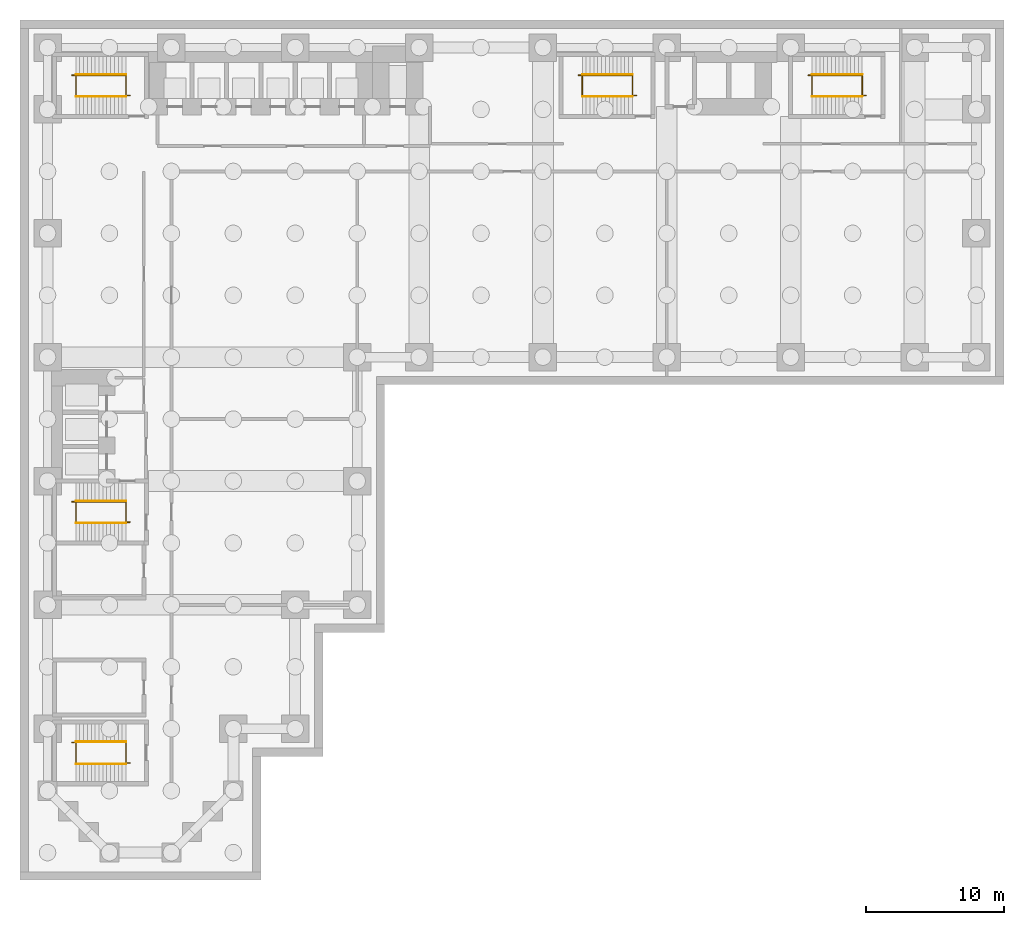
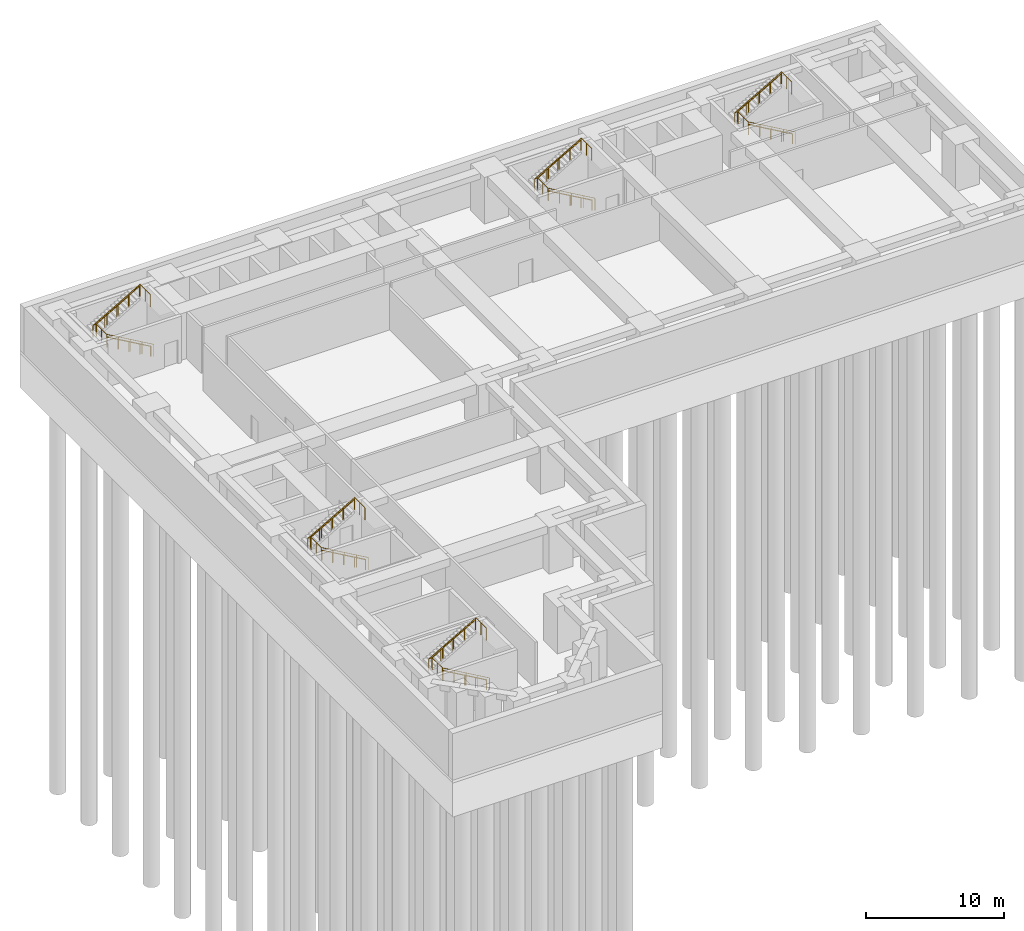
# One storey, part 6 of 7: 15 railings.
"""IFC4 building model written with IfcOpenShell, lengths in metres."""

import ifcopenshell
import ifcopenshell.guid

model = None  # the IFC model being written
_history = None  # IfcOwnerHistory: only IFC2X3 demands one
_inside = {}  # id of a spatial element -> (the spatial element, [elements in it])
_under = {}  # id of a project, library or spatial element -> (it, [spatial elements below it])
_declared = {}  # id of a project -> (the project, [libraries it declares])
_typed = {}  # id of a type object -> (the type object, [elements of that type])
_made_of = {}  # id of a material, layer set ... -> (it, [elements and type objects made of it])


def new_model(schema):
    """Start an empty IFC model of exactly this schema.

    Asked for "IFC4X3", IfcOpenShell would pick the latest addendum, in which some entities
    have other attributes; the version numbers below select the first issue.
    IFC2X3 requires an IfcOwnerHistory on every rooted entity: one is made here for all.
    """
    global model, _history
    if schema == "IFC4X3":
        model = ifcopenshell.file(schema_version=(4, 3, 0, 0))
    else:
        model = ifcopenshell.file(schema=schema)
    _inside.clear()
    _under.clear()
    _declared.clear()
    _typed.clear()
    _made_of.clear()
    _history = None
    if model.schema == "IFC2X3":
        org = make("IfcOrganization", Name="unknown")
        user = make(
            "IfcPersonAndOrganization",
            ThePerson=make("IfcPerson", FamilyName="unknown"),
            TheOrganization=org,
        )
        app = make(
            "IfcApplication",
            ApplicationDeveloper=org,
            Version="unknown",
            ApplicationFullName="unknown",
            ApplicationIdentifier="unknown",
        )
        _history = make(
            "IfcOwnerHistory",
            OwningUser=user,
            OwningApplication=app,
            ChangeAction="ADDED",
            CreationDate=0,
        )
    return model


def make(cls, **values):
    """One entity of the class cls with the attributes given. An attribute that is None is left unset."""
    return model.create_entity(
        cls, **{name: value for name, value in values.items() if value is not None}
    )


def rooted(cls, **values):
    """An entity with a GlobalId (a new one), such as an element, a storey or a relation."""
    return make(cls, GlobalId=ifcopenshell.guid.new(), OwnerHistory=_history, **values)


def si_unit(unit_type, name, prefix=None):
    """IfcSIUnit, for example si_unit("LENGTHUNIT", "METRE", prefix="MILLI")."""
    return make("IfcSIUnit", UnitType=unit_type, Prefix=prefix, Name=name)


def assignment(units):
    """IfcUnitAssignment: the units of a project."""
    return None if units is None else make("IfcUnitAssignment", Units=units)


def point(xyz):
    """IfcCartesianPoint."""
    return None if xyz is None else make("IfcCartesianPoint", Coordinates=xyz)


def direction(xyz):
    """IfcDirection."""
    return None if xyz is None else make("IfcDirection", DirectionRatios=xyz)


def frame(location, z_axis=None, x_axis=None):
    """IfcAxis2Placement3D, a coordinate frame: its origin and axes. An axis left out is left unset."""
    return make(
        "IfcAxis2Placement3D",
        Location=point(location),
        Axis=direction(z_axis),
        RefDirection=direction(x_axis),
    )


def frame_2d(location, x_axis=None):
    """IfcAxis2Placement2D, a coordinate frame in the plane: its origin and x axis."""
    return make(
        "IfcAxis2Placement2D", Location=point(location), RefDirection=direction(x_axis)
    )


def origin():
    """The frame at (0, 0, 0) with its axes left unset."""
    return frame((0.0, 0.0, 0.0))


def origin_2d():
    """The frame at (0, 0) in the plane with its x axis left unset."""
    return frame_2d((0.0, 0.0))


def place(relative_to, where):
    """IfcLocalPlacement: puts the frame where relative to a parent placement (None: the world)."""
    return make(
        "IfcLocalPlacement", PlacementRelTo=relative_to, RelativePlacement=where
    )


def context(
    kind, dimensions, precision=None, world=None, true_north=None, identifier=None
):
    """IfcGeometricRepresentationContext, for example the 3D "Model" context."""
    return make(
        "IfcGeometricRepresentationContext",
        ContextIdentifier=identifier,
        ContextType=kind,
        CoordinateSpaceDimension=dimensions,
        Precision=precision,
        WorldCoordinateSystem=world,
        TrueNorth=true_north,
    )


def subcontext(parent, identifier, kind, view, scale=None):
    """IfcGeometricRepresentationSubContext, for example "Body" below "Model"."""
    return make(
        "IfcGeometricRepresentationSubContext",
        ContextIdentifier=identifier,
        ContextType=kind,
        ParentContext=parent,
        TargetScale=scale,
        TargetView=view,
    )


def project(units=None, contexts=None):
    """IfcProject with its units and contexts."""
    return rooted(
        "IfcProject",
        Name="project",
        RepresentationContexts=contexts,
        UnitsInContext=assignment(units),
    )


def spatial(cls, under=None, at=None, **own):
    """A site, building, storey or space (cls), placed at a placement, below another one or the project."""
    s = rooted(cls, ObjectPlacement=at, **own)
    if under is not None:
        _under.setdefault(under.id(), (under, []))[1].append(s)
    return s


def profile(cls, at=None, kind="AREA", **sizes):
    """A parametric profile (cls). Its sizes go by their IFC names, for example OverallWidth=200.0."""
    return make(cls, ProfileType=kind, Position=at, **sizes)


def circle(**sizes):
    """IfcCircleProfileDef."""
    return profile("IfcCircleProfileDef", **sizes)


def extrude(swept, where, along, depth):
    """IfcExtrudedAreaSolid: the profile swept, set in the frame where, extruded along a direction by depth."""
    return make(
        "IfcExtrudedAreaSolid",
        SweptArea=swept,
        Position=where,
        ExtrudedDirection=direction(along),
        Depth=depth,
    )


def shape(context_of_items, identifier, shape_type, items):
    """IfcShapeRepresentation: the items that make up one representation, for example the "Body"."""
    return make(
        "IfcShapeRepresentation",
        ContextOfItems=context_of_items,
        RepresentationIdentifier=identifier,
        RepresentationType=shape_type,
        Items=items,
    )


def material(Name=None, Category=None):
    """IfcMaterial."""
    return make("IfcMaterial", Name=Name, Category=Category)


def made_of(thing, what):
    """Note that an element or type object is made of a material, layer set ...; save() writes the relation."""
    if what is not None:
        _made_of.setdefault(what.id(), (what, []))[1].append(thing)
    return thing


def type_object(cls, material=None, **own):
    """A type object (cls), such as IfcWallType, which elements share."""
    return made_of(rooted(cls, **own), material)


def element(
    cls,
    number,
    at=None,
    inside=None,
    cuts=None,
    type_object=None,
    material=None,
    context=None,
    identifier="Body",
    shape_type=None,
    held_by="IfcProductDefinitionShape",
    body=None,
    shapes=None,
    **own,
):
    """One element of the class cls, such as IfcWall. Its Tag is "e" and its number.

    at: its placement. inside: the storey or other place that contains it. cuts: it is an
    opening in that element (IfcRelVoidsElement). A single representation is given by context,
    identifier, shape_type and body (its items); several are given by shapes. held_by: the class
    of the entity that holds the representations. save() writes the other relations.
    """
    e = rooted(cls, Tag="e%d" % number, ObjectPlacement=at, **own)
    if body is not None:
        shapes = [shape(context, identifier, shape_type, body)]
    if shapes is not None:
        e.Representation = make(held_by, Representations=shapes)
    if inside is not None:
        _inside.setdefault(inside.id(), (inside, []))[1].append(e)
    if cuts is not None:
        rooted(
            "IfcRelVoidsElement", RelatingBuildingElement=cuts, RelatedOpeningElement=e
        )
    if type_object is not None:
        _typed.setdefault(type_object.id(), (type_object, []))[1].append(e)
    return made_of(e, material)


def aggregate(whole, parts):
    """IfcRelAggregates: a whole, such as a stair, and the parts it consists of."""
    return rooted("IfcRelAggregates", RelatingObject=whole, RelatedObjects=parts)


def save(model, path):
    """Write the relations noted so far, then the file.

    IfcRelAggregates (storeys below a building ...), IfcRelContainedInSpatialStructure (elements
    in a storey), IfcRelDefinesByType, IfcRelAssociatesMaterial and IfcRelDeclares: one each for
    every whole, place, type object, material and project.
    """
    for whole, parts in _under.values():
        aggregate(whole, parts)
    for where, things in _inside.values():
        rooted(
            "IfcRelContainedInSpatialStructure",
            RelatedElements=things,
            RelatingStructure=where,
        )
    for kind, things in _typed.values():
        rooted("IfcRelDefinesByType", RelatedObjects=things, RelatingType=kind)
    for what, things in _made_of.values():
        rooted("IfcRelAssociatesMaterial", RelatedObjects=things, RelatingMaterial=what)
    for by, libraries in _declared.values():
        rooted("IfcRelDeclares", RelatingContext=by, RelatedDefinitions=libraries)
    model.write(path)


model = new_model("IFC4")

# Units and contexts
model_context = context("Model", 3, precision=1e-05, world=origin(), true_north=direction((0.0, 1.0)))
body_context = subcontext(model_context, "Body", "Model", "MODEL_VIEW")
ifc_project = project(units=[si_unit("LENGTHUNIT", "METRE"), si_unit("AREAUNIT", "SQUARE_METRE"), si_unit("VOLUMEUNIT", "CUBIC_METRE"), si_unit("PLANEANGLEUNIT", "RADIAN"), si_unit("MASSUNIT", "GRAM", prefix="KILO")], contexts=[model_context])

# Site, building, storey
site_placement = place(None, origin())
site = spatial("IfcSite", under=ifc_project, at=site_placement, CompositionType="ELEMENT")
building_placement = place(site_placement, origin())
building = spatial("IfcBuilding", under=site, at=building_placement, Name="Firuza Court", CompositionType="ELEMENT")
storey_placement = place(building_placement, frame((0.0, 0.0, -9.0)))
storey = spatial("IfcBuildingStorey", under=building, at=storey_placement, Name="B2", CompositionType="ELEMENT", Elevation=-9.0)

# Railings
ifc_material_1 = material(Name="Steel S355", Category="steel")
railing_type_1 = type_object("IfcRailingType", Name="Handrail 900", PredefinedType="HANDRAIL", material=ifc_material_1)
railing_1_placement = place(storey_placement, frame((42.5, 54.949951171875, 0.16064453125)))
element("IfcRailing", 1, at=railing_1_placement, inside=storey, type_object=railing_type_1, Name="Handrail S1 flight 1", PredefinedType="HANDRAIL", context=body_context, shape_type="SweptSolid", body=[
    extrude(circle(Radius=0.02490234375, at=origin_2d()), frame((0.0, 0.0, 0.875), z_axis=(-0.8672749571, 0.0, 0.497829437445), x_axis=(0.0, -1.0, 0.0)), (0.0, 0.0, 1.0), 4.197021484375),
    extrude(circle(Radius=0.02001953125, at=origin_2d()), origin(), (0.0, 0.0, 1.0), 0.849853515625),
    extrude(circle(Radius=0.02001953125, at=origin_2d()), frame((-0.909912109375, 0.0, 0.5224609375)), (0.0, 0.0, 1.0), 0.849853515625),
    extrude(circle(Radius=0.02001953125, at=origin_2d()), frame((-1.81982421875, 0.0, 1.044677734375)), (0.0, 0.0, 1.0), 0.849853515625),
    extrude(circle(Radius=0.02001953125, at=origin_2d()), frame((-2.72998046875, 0.0, 1.56689453125)), (0.0, 0.0, 1.0), 0.849853515625),
    extrude(circle(Radius=0.02001953125, at=origin_2d()), frame((-3.639892578125, 0.0, 2.08935546875)), (0.0, 0.0, 1.0), 0.849853515625),
])
railing_2_placement = place(storey_placement, frame((38.860107421875, 56.550048828125, 2.41064453125)))
element("IfcRailing", 2, at=railing_2_placement, inside=storey, type_object=railing_type_1, Name="Handrail S1 flight 2", PredefinedType="HANDRAIL", context=body_context, shape_type="SweptSolid", body=[
    extrude(circle(Radius=0.02490234375, at=origin_2d()), frame((0.0, 0.0, 0.875), z_axis=(0.8672749571, 0.0, 0.497829437445), x_axis=(0.0, 1.0, 0.0)), (0.0, 0.0, 1.0), 4.197021484375),
    extrude(circle(Radius=0.02001953125, at=origin_2d()), origin(), (0.0, 0.0, 1.0), 0.849853515625),
    extrude(circle(Radius=0.02001953125, at=origin_2d()), frame((0.909912109375, 0.0, 0.5224609375)), (0.0, 0.0, 1.0), 0.849853515625),
    extrude(circle(Radius=0.02001953125, at=origin_2d()), frame((1.81982421875, 0.0, 1.044677734375)), (0.0, 0.0, 1.0), 0.849853515625),
    extrude(circle(Radius=0.02001953125, at=origin_2d()), frame((2.72998046875, 0.0, 1.56689453125)), (0.0, 0.0, 1.0), 0.849853515625),
    extrude(circle(Radius=0.02001953125, at=origin_2d()), frame((3.639892578125, 0.0, 2.08935546875)), (0.0, 0.0, 1.0), 0.849853515625),
])
railing_3_placement = place(storey_placement, frame((5.699951171875, 23.949951171875, 0.16064453125)))
element("IfcRailing", 3, at=railing_3_placement, inside=storey, type_object=railing_type_1, Name="Handrail S2 flight 1", PredefinedType="HANDRAIL", context=body_context, shape_type="SweptSolid", body=[
    extrude(circle(Radius=0.02490234375, at=origin_2d()), frame((0.0, 0.0, 0.875), z_axis=(-0.8672749571, 0.0, 0.497829437445), x_axis=(0.0, -1.0, 0.0)), (0.0, 0.0, 1.0), 4.197021484375),
    extrude(circle(Radius=0.02001953125, at=origin_2d()), origin(), (0.0, 0.0, 1.0), 0.849853515625),
    extrude(circle(Radius=0.02001953125, at=origin_2d()), frame((-0.909912109375, 0.0, 0.5224609375)), (0.0, 0.0, 1.0), 0.849853515625),
    extrude(circle(Radius=0.02001953125, at=origin_2d()), frame((-1.81982421875, 0.0, 1.044677734375)), (0.0, 0.0, 1.0), 0.849853515625),
    extrude(circle(Radius=0.02001953125, at=origin_2d()), frame((-2.72998046875, 0.0, 1.56689453125)), (0.0, 0.0, 1.0), 0.849853515625),
    extrude(circle(Radius=0.02001953125, at=origin_2d()), frame((-3.639892578125, 0.0, 2.08935546875)), (0.0, 0.0, 1.0), 0.849853515625),
])
railing_4_placement = place(storey_placement, frame((2.06005859375, 25.550048828125, 2.41064453125)))
element("IfcRailing", 4, at=railing_4_placement, inside=storey, type_object=railing_type_1, Name="Handrail S2 flight 2", PredefinedType="HANDRAIL", context=body_context, shape_type="SweptSolid", body=[
    extrude(circle(Radius=0.02490234375, at=origin_2d()), frame((0.0, 0.0, 0.875), z_axis=(0.8672749571, 0.0, 0.497829437445), x_axis=(0.0, 1.0, 0.0)), (0.0, 0.0, 1.0), 4.197021484375),
    extrude(circle(Radius=0.02001953125, at=origin_2d()), origin(), (0.0, 0.0, 1.0), 0.849853515625),
    extrude(circle(Radius=0.02001953125, at=origin_2d()), frame((0.909912109375, 0.0, 0.5224609375)), (0.0, 0.0, 1.0), 0.849853515625),
    extrude(circle(Radius=0.02001953125, at=origin_2d()), frame((1.81982421875, 0.0, 1.044677734375)), (0.0, 0.0, 1.0), 0.849853515625),
    extrude(circle(Radius=0.02001953125, at=origin_2d()), frame((2.72998046875, 0.0, 1.56689453125)), (0.0, 0.0, 1.0), 0.849853515625),
    extrude(circle(Radius=0.02001953125, at=origin_2d()), frame((3.639892578125, 0.0, 2.08935546875)), (0.0, 0.0, 1.0), 0.849853515625),
])
railing_5_placement = place(storey_placement, frame((5.699951171875, 54.949951171875, 0.16064453125)))
element("IfcRailing", 5, at=railing_5_placement, inside=storey, type_object=railing_type_1, Name="Handrail S3 flight 1", PredefinedType="HANDRAIL", context=body_context, shape_type="SweptSolid", body=[
    extrude(circle(Radius=0.02490234375, at=origin_2d()), frame((0.0, 0.0, 0.875), z_axis=(-0.8672749571, 0.0, 0.497829437445), x_axis=(0.0, -1.0, 0.0)), (0.0, 0.0, 1.0), 4.197021484375),
    extrude(circle(Radius=0.02001953125, at=origin_2d()), origin(), (0.0, 0.0, 1.0), 0.849853515625),
    extrude(circle(Radius=0.02001953125, at=origin_2d()), frame((-0.909912109375, 0.0, 0.5224609375)), (0.0, 0.0, 1.0), 0.849853515625),
    extrude(circle(Radius=0.02001953125, at=origin_2d()), frame((-1.81982421875, 0.0, 1.044677734375)), (0.0, 0.0, 1.0), 0.849853515625),
    extrude(circle(Radius=0.02001953125, at=origin_2d()), frame((-2.72998046875, 0.0, 1.56689453125)), (0.0, 0.0, 1.0), 0.849853515625),
    extrude(circle(Radius=0.02001953125, at=origin_2d()), frame((-3.639892578125, 0.0, 2.08935546875)), (0.0, 0.0, 1.0), 0.849853515625),
])
railing_6_placement = place(storey_placement, frame((2.06005859375, 56.550048828125, 2.41064453125)))
element("IfcRailing", 6, at=railing_6_placement, inside=storey, type_object=railing_type_1, Name="Handrail S3 flight 2", PredefinedType="HANDRAIL", context=body_context, shape_type="SweptSolid", body=[
    extrude(circle(Radius=0.02490234375, at=origin_2d()), frame((0.0, 0.0, 0.875), z_axis=(0.8672749571, 0.0, 0.497829437445), x_axis=(0.0, 1.0, 0.0)), (0.0, 0.0, 1.0), 4.197021484375),
    extrude(circle(Radius=0.02001953125, at=origin_2d()), origin(), (0.0, 0.0, 1.0), 0.849853515625),
    extrude(circle(Radius=0.02001953125, at=origin_2d()), frame((0.909912109375, 0.0, 0.5224609375)), (0.0, 0.0, 1.0), 0.849853515625),
    extrude(circle(Radius=0.02001953125, at=origin_2d()), frame((1.81982421875, 0.0, 1.044677734375)), (0.0, 0.0, 1.0), 0.849853515625),
    extrude(circle(Radius=0.02001953125, at=origin_2d()), frame((2.72998046875, 0.0, 1.56689453125)), (0.0, 0.0, 1.0), 0.849853515625),
    extrude(circle(Radius=0.02001953125, at=origin_2d()), frame((3.639892578125, 0.0, 2.08935546875)), (0.0, 0.0, 1.0), 0.849853515625),
])
railing_7_placement = place(storey_placement, frame((59.199951171875, 54.949951171875, 0.16064453125)))
element("IfcRailing", 7, at=railing_7_placement, inside=storey, type_object=railing_type_1, Name="Handrail S4 flight 1", PredefinedType="HANDRAIL", context=body_context, shape_type="SweptSolid", body=[
    extrude(circle(Radius=0.02490234375, at=origin_2d()), frame((0.0, 0.0, 0.875), z_axis=(-0.8672749571, 0.0, 0.497829437445), x_axis=(0.0, -1.0, 0.0)), (0.0, 0.0, 1.0), 4.197021484375),
    extrude(circle(Radius=0.02001953125, at=origin_2d()), origin(), (0.0, 0.0, 1.0), 0.849853515625),
    extrude(circle(Radius=0.02001953125, at=origin_2d()), frame((-0.909912109375, 0.0, 0.5224609375)), (0.0, 0.0, 1.0), 0.849853515625),
    extrude(circle(Radius=0.02001953125, at=origin_2d()), frame((-1.81982421875, 0.0, 1.044677734375)), (0.0, 0.0, 1.0), 0.849853515625),
    extrude(circle(Radius=0.02001953125, at=origin_2d()), frame((-2.72998046875, 0.0, 1.56689453125)), (0.0, 0.0, 1.0), 0.849853515625),
    extrude(circle(Radius=0.02001953125, at=origin_2d()), frame((-3.639892578125, 0.0, 2.08935546875)), (0.0, 0.0, 1.0), 0.849853515625),
])
railing_8_placement = place(storey_placement, frame((55.56005859375, 56.550048828125, 2.41064453125)))
element("IfcRailing", 8, at=railing_8_placement, inside=storey, type_object=railing_type_1, Name="Handrail S4 flight 2", PredefinedType="HANDRAIL", context=body_context, shape_type="SweptSolid", body=[
    extrude(circle(Radius=0.02490234375, at=origin_2d()), frame((0.0, 0.0, 0.875), z_axis=(0.8672749571, 0.0, 0.497829437445), x_axis=(0.0, 1.0, 0.0)), (0.0, 0.0, 1.0), 4.197021484375),
    extrude(circle(Radius=0.02001953125, at=origin_2d()), origin(), (0.0, 0.0, 1.0), 0.849853515625),
    extrude(circle(Radius=0.02001953125, at=origin_2d()), frame((0.909912109375, 0.0, 0.5224609375)), (0.0, 0.0, 1.0), 0.849853515625),
    extrude(circle(Radius=0.02001953125, at=origin_2d()), frame((1.81982421875, 0.0, 1.044677734375)), (0.0, 0.0, 1.0), 0.849853515625),
    extrude(circle(Radius=0.02001953125, at=origin_2d()), frame((2.72998046875, 0.0, 1.56689453125)), (0.0, 0.0, 1.0), 0.849853515625),
    extrude(circle(Radius=0.02001953125, at=origin_2d()), frame((3.639892578125, 0.0, 2.08935546875)), (0.0, 0.0, 1.0), 0.849853515625),
])
railing_9_placement = place(storey_placement, frame((5.699951171875, 6.449951171875, 0.16064453125)))
element("IfcRailing", 9, at=railing_9_placement, inside=storey, type_object=railing_type_1, Name="Handrail S5 flight 1", PredefinedType="HANDRAIL", context=body_context, shape_type="SweptSolid", body=[
    extrude(circle(Radius=0.02490234375, at=origin_2d()), frame((0.0, 0.0, 0.875), z_axis=(-0.8672749571, 0.0, 0.497829437445), x_axis=(0.0, -1.0, 0.0)), (0.0, 0.0, 1.0), 4.197021484375),
    extrude(circle(Radius=0.02001953125, at=origin_2d()), origin(), (0.0, 0.0, 1.0), 0.849853515625),
    extrude(circle(Radius=0.02001953125, at=origin_2d()), frame((-0.909912109375, 0.0, 0.5224609375)), (0.0, 0.0, 1.0), 0.849853515625),
    extrude(circle(Radius=0.02001953125, at=origin_2d()), frame((-1.81982421875, 0.0, 1.044677734375)), (0.0, 0.0, 1.0), 0.849853515625),
    extrude(circle(Radius=0.02001953125, at=origin_2d()), frame((-2.72998046875, 0.0, 1.56689453125)), (0.0, 0.0, 1.0), 0.849853515625),
    extrude(circle(Radius=0.02001953125, at=origin_2d()), frame((-3.639892578125, 0.0, 2.08935546875)), (0.0, 0.0, 1.0), 0.849853515625),
])
railing_10_placement = place(storey_placement, frame((2.06005859375, 8.050048828125, 2.41064453125)))
element("IfcRailing", 10, at=railing_10_placement, inside=storey, type_object=railing_type_1, Name="Handrail S5 flight 2", PredefinedType="HANDRAIL", context=body_context, shape_type="SweptSolid", body=[
    extrude(circle(Radius=0.02490234375, at=origin_2d()), frame((0.0, 0.0, 0.875), z_axis=(0.8672749571, 0.0, 0.497829437445), x_axis=(0.0, 1.0, 0.0)), (0.0, 0.0, 1.0), 4.197021484375),
    extrude(circle(Radius=0.02001953125, at=origin_2d()), origin(), (0.0, 0.0, 1.0), 0.849853515625),
    extrude(circle(Radius=0.02001953125, at=origin_2d()), frame((0.909912109375, 0.0, 0.5224609375)), (0.0, 0.0, 1.0), 0.849853515625),
    extrude(circle(Radius=0.02001953125, at=origin_2d()), frame((1.81982421875, 0.0, 1.044677734375)), (0.0, 0.0, 1.0), 0.849853515625),
    extrude(circle(Radius=0.02001953125, at=origin_2d()), frame((2.72998046875, 0.0, 1.56689453125)), (0.0, 0.0, 1.0), 0.849853515625),
    extrude(circle(Radius=0.02001953125, at=origin_2d()), frame((3.639892578125, 0.0, 2.08935546875)), (0.0, 0.0, 1.0), 0.849853515625),
])
ifc_material_2 = material(Name="Steel S355", Category="steel")
railing_type_2 = type_object("IfcRailingType", Name="Stair guard 1100", PredefinedType="GUARDRAIL", material=ifc_material_2)
railing_11_placement = place(storey_placement, frame((42.780029296875, 55.010009765625, 0.0)))
element("IfcRailing", 11, at=railing_11_placement, inside=storey, type_object=railing_type_2, Name="Stair well guard S1", PredefinedType="GUARDRAIL", context=body_context, shape_type="SweptSolid", body=[
    extrude(circle(Radius=0.02490234375, at=origin_2d()), frame((0.0, 0.0, 1.0751953125), z_axis=(-0.867284192427, 0.0, 0.49781334812), x_axis=(0.0, -1.0, 0.0)), (0.0, 0.0, 1.0), 4.519775390625),
    extrude(circle(Radius=0.02490234375, at=origin_2d()), frame((-3.919921875, 0.0, 3.3251953125), z_axis=(0.0, 1.0, 0.0), x_axis=(-1.0, 0.0, 0.0)), (0.0, 0.0, 1.0), 1.47998046875),
    extrude(circle(Radius=0.02490234375, at=origin_2d()), frame((-3.919921875, 1.47998046875, 3.3251953125), z_axis=(-1.0, 0.0, 0.0), x_axis=(0.0, -1.0, 0.0)), (0.0, 0.0, 1.0), 0.280029296875),
    extrude(circle(Radius=0.02490234375, at=origin_2d()), frame((-4.199951171875, 1.47998046875, 3.3251953125), z_axis=(0.867284192427, 0.0, 0.49781334812), x_axis=(0.0, 1.0, 0.0)), (0.0, 0.0, 1.0), 4.519775390625),
    extrude(circle(Radius=0.02490234375, at=origin_2d()), frame((-0.280029296875, 1.47998046875, 5.5751953125), z_axis=(0.0, -1.0, 0.0), x_axis=(1.0, 0.0, 0.0)), (0.0, 0.0, 1.0), 1.47998046875),
    extrude(circle(Radius=0.02490234375, at=origin_2d()), origin(), (0.0, 0.0, 1.0), 1.050048828125),
    extrude(circle(Radius=0.02490234375, at=origin_2d()), frame((-0.97998046875, 0.0, 0.5625)), (0.0, 0.0, 1.0), 1.050048828125),
    extrude(circle(Radius=0.02490234375, at=origin_2d()), frame((-1.9599609375, 0.0, 1.125)), (0.0, 0.0, 1.0), 1.050048828125),
    extrude(circle(Radius=0.02490234375, at=origin_2d()), frame((-2.93994140625, 0.0, 1.6875)), (0.0, 0.0, 1.0), 1.050048828125),
    extrude(circle(Radius=0.02490234375, at=origin_2d()), frame((-3.919921875, 0.0, 2.25)), (0.0, 0.0, 1.0), 1.050048828125),
    extrude(circle(Radius=0.02490234375, at=origin_2d()), frame((-3.919921875, 0.739990234375, 2.25)), (0.0, 0.0, 1.0), 1.050048828125),
    extrude(circle(Radius=0.02490234375, at=origin_2d()), frame((-3.919921875, 1.47998046875, 2.25)), (0.0, 0.0, 1.0), 1.050048828125),
    extrude(circle(Radius=0.02490234375, at=origin_2d()), frame((-4.199951171875, 1.47998046875, 2.25)), (0.0, 0.0, 1.0), 1.050048828125),
    extrude(circle(Radius=0.02490234375, at=origin_2d()), frame((-3.219970703125, 1.47998046875, 2.8125)), (0.0, 0.0, 1.0), 1.050048828125),
    extrude(circle(Radius=0.02490234375, at=origin_2d()), frame((-2.239990234375, 1.47998046875, 3.375)), (0.0, 0.0, 1.0), 1.050048828125),
    extrude(circle(Radius=0.02490234375, at=origin_2d()), frame((-1.260009765625, 1.47998046875, 3.9375)), (0.0, 0.0, 1.0), 1.050048828125),
    extrude(circle(Radius=0.02490234375, at=origin_2d()), frame((-0.280029296875, 1.47998046875, 4.5)), (0.0, 0.0, 1.0), 1.050048828125),
    extrude(circle(Radius=0.02490234375, at=origin_2d()), frame((-0.280029296875, 0.739990234375, 4.5)), (0.0, 0.0, 1.0), 1.050048828125),
    extrude(circle(Radius=0.02490234375, at=origin_2d()), frame((-0.280029296875, 0.0, 4.5)), (0.0, 0.0, 1.0), 1.050048828125),
])
railing_12_placement = place(storey_placement, frame((5.97998046875, 24.010009765625, 0.0)))
element("IfcRailing", 12, at=railing_12_placement, inside=storey, type_object=railing_type_2, Name="Stair well guard S2", PredefinedType="GUARDRAIL", context=body_context, shape_type="SweptSolid", body=[
    extrude(circle(Radius=0.02490234375, at=origin_2d()), frame((0.0, 0.0, 1.0751953125), z_axis=(-0.867284192427, 0.0, 0.49781334812), x_axis=(0.0, -1.0, 0.0)), (0.0, 0.0, 1.0), 4.519775390625),
    extrude(circle(Radius=0.02490234375, at=origin_2d()), frame((-3.919921875, 0.0, 3.3251953125), z_axis=(0.0, 1.0, 0.0), x_axis=(-1.0, 0.0, 0.0)), (0.0, 0.0, 1.0), 1.47998046875),
    extrude(circle(Radius=0.02490234375, at=origin_2d()), frame((-3.919921875, 1.47998046875, 3.3251953125), z_axis=(-1.0, 0.0, 0.0), x_axis=(0.0, -1.0, 0.0)), (0.0, 0.0, 1.0), 0.280029296875),
    extrude(circle(Radius=0.02490234375, at=origin_2d()), frame((-4.199951171875, 1.47998046875, 3.3251953125), z_axis=(0.867284192427, 0.0, 0.49781334812), x_axis=(0.0, 1.0, 0.0)), (0.0, 0.0, 1.0), 4.519775390625),
    extrude(circle(Radius=0.02490234375, at=origin_2d()), frame((-0.280029296875, 1.47998046875, 5.5751953125), z_axis=(0.0, -1.0, 0.0), x_axis=(1.0, 0.0, 0.0)), (0.0, 0.0, 1.0), 1.47998046875),
    extrude(circle(Radius=0.02490234375, at=origin_2d()), origin(), (0.0, 0.0, 1.0), 1.050048828125),
    extrude(circle(Radius=0.02490234375, at=origin_2d()), frame((-0.97998046875, 0.0, 0.5625)), (0.0, 0.0, 1.0), 1.050048828125),
    extrude(circle(Radius=0.02490234375, at=origin_2d()), frame((-1.9599609375, 0.0, 1.125)), (0.0, 0.0, 1.0), 1.050048828125),
    extrude(circle(Radius=0.02490234375, at=origin_2d()), frame((-2.93994140625, 0.0, 1.6875)), (0.0, 0.0, 1.0), 1.050048828125),
    extrude(circle(Radius=0.02490234375, at=origin_2d()), frame((-3.919921875, 0.0, 2.25)), (0.0, 0.0, 1.0), 1.050048828125),
    extrude(circle(Radius=0.02490234375, at=origin_2d()), frame((-3.919921875, 0.739990234375, 2.25)), (0.0, 0.0, 1.0), 1.050048828125),
    extrude(circle(Radius=0.02490234375, at=origin_2d()), frame((-3.919921875, 1.47998046875, 2.25)), (0.0, 0.0, 1.0), 1.050048828125),
    extrude(circle(Radius=0.02490234375, at=origin_2d()), frame((-4.199951171875, 1.47998046875, 2.25)), (0.0, 0.0, 1.0), 1.050048828125),
    extrude(circle(Radius=0.02490234375, at=origin_2d()), frame((-3.219970703125, 1.47998046875, 2.8125)), (0.0, 0.0, 1.0), 1.050048828125),
    extrude(circle(Radius=0.02490234375, at=origin_2d()), frame((-2.239990234375, 1.47998046875, 3.375)), (0.0, 0.0, 1.0), 1.050048828125),
    extrude(circle(Radius=0.02490234375, at=origin_2d()), frame((-1.260009765625, 1.47998046875, 3.9375)), (0.0, 0.0, 1.0), 1.050048828125),
    extrude(circle(Radius=0.02490234375, at=origin_2d()), frame((-0.280029296875, 1.47998046875, 4.5)), (0.0, 0.0, 1.0), 1.050048828125),
    extrude(circle(Radius=0.02490234375, at=origin_2d()), frame((-0.280029296875, 0.739990234375, 4.5)), (0.0, 0.0, 1.0), 1.050048828125),
    extrude(circle(Radius=0.02490234375, at=origin_2d()), frame((-0.280029296875, 0.0, 4.5)), (0.0, 0.0, 1.0), 1.050048828125),
])
railing_13_placement = place(storey_placement, frame((5.97998046875, 55.010009765625, 0.0)))
element("IfcRailing", 13, at=railing_13_placement, inside=storey, type_object=railing_type_2, Name="Stair well guard S3", PredefinedType="GUARDRAIL", context=body_context, shape_type="SweptSolid", body=[
    extrude(circle(Radius=0.02490234375, at=origin_2d()), frame((0.0, 0.0, 1.0751953125), z_axis=(-0.867284192427, 0.0, 0.49781334812), x_axis=(0.0, -1.0, 0.0)), (0.0, 0.0, 1.0), 4.519775390625),
    extrude(circle(Radius=0.02490234375, at=origin_2d()), frame((-3.919921875, 0.0, 3.3251953125), z_axis=(0.0, 1.0, 0.0), x_axis=(-1.0, 0.0, 0.0)), (0.0, 0.0, 1.0), 1.47998046875),
    extrude(circle(Radius=0.02490234375, at=origin_2d()), frame((-3.919921875, 1.47998046875, 3.3251953125), z_axis=(-1.0, 0.0, 0.0), x_axis=(0.0, -1.0, 0.0)), (0.0, 0.0, 1.0), 0.280029296875),
    extrude(circle(Radius=0.02490234375, at=origin_2d()), frame((-4.199951171875, 1.47998046875, 3.3251953125), z_axis=(0.867284192427, 0.0, 0.49781334812), x_axis=(0.0, 1.0, 0.0)), (0.0, 0.0, 1.0), 4.519775390625),
    extrude(circle(Radius=0.02490234375, at=origin_2d()), frame((-0.280029296875, 1.47998046875, 5.5751953125), z_axis=(0.0, -1.0, 0.0), x_axis=(1.0, 0.0, 0.0)), (0.0, 0.0, 1.0), 1.47998046875),
    extrude(circle(Radius=0.02490234375, at=origin_2d()), origin(), (0.0, 0.0, 1.0), 1.050048828125),
    extrude(circle(Radius=0.02490234375, at=origin_2d()), frame((-0.97998046875, 0.0, 0.5625)), (0.0, 0.0, 1.0), 1.050048828125),
    extrude(circle(Radius=0.02490234375, at=origin_2d()), frame((-1.9599609375, 0.0, 1.125)), (0.0, 0.0, 1.0), 1.050048828125),
    extrude(circle(Radius=0.02490234375, at=origin_2d()), frame((-2.93994140625, 0.0, 1.6875)), (0.0, 0.0, 1.0), 1.050048828125),
    extrude(circle(Radius=0.02490234375, at=origin_2d()), frame((-3.919921875, 0.0, 2.25)), (0.0, 0.0, 1.0), 1.050048828125),
    extrude(circle(Radius=0.02490234375, at=origin_2d()), frame((-3.919921875, 0.739990234375, 2.25)), (0.0, 0.0, 1.0), 1.050048828125),
    extrude(circle(Radius=0.02490234375, at=origin_2d()), frame((-3.919921875, 1.47998046875, 2.25)), (0.0, 0.0, 1.0), 1.050048828125),
    extrude(circle(Radius=0.02490234375, at=origin_2d()), frame((-4.199951171875, 1.47998046875, 2.25)), (0.0, 0.0, 1.0), 1.050048828125),
    extrude(circle(Radius=0.02490234375, at=origin_2d()), frame((-3.219970703125, 1.47998046875, 2.8125)), (0.0, 0.0, 1.0), 1.050048828125),
    extrude(circle(Radius=0.02490234375, at=origin_2d()), frame((-2.239990234375, 1.47998046875, 3.375)), (0.0, 0.0, 1.0), 1.050048828125),
    extrude(circle(Radius=0.02490234375, at=origin_2d()), frame((-1.260009765625, 1.47998046875, 3.9375)), (0.0, 0.0, 1.0), 1.050048828125),
    extrude(circle(Radius=0.02490234375, at=origin_2d()), frame((-0.280029296875, 1.47998046875, 4.5)), (0.0, 0.0, 1.0), 1.050048828125),
    extrude(circle(Radius=0.02490234375, at=origin_2d()), frame((-0.280029296875, 0.739990234375, 4.5)), (0.0, 0.0, 1.0), 1.050048828125),
    extrude(circle(Radius=0.02490234375, at=origin_2d()), frame((-0.280029296875, 0.0, 4.5)), (0.0, 0.0, 1.0), 1.050048828125),
])
railing_14_placement = place(storey_placement, frame((59.47998046875, 55.010009765625, 0.0)))
element("IfcRailing", 14, at=railing_14_placement, inside=storey, type_object=railing_type_2, Name="Stair well guard S4", PredefinedType="GUARDRAIL", context=body_context, shape_type="SweptSolid", body=[
    extrude(circle(Radius=0.02490234375, at=origin_2d()), frame((0.0, 0.0, 1.0751953125), z_axis=(-0.867284192427, 0.0, 0.49781334812), x_axis=(0.0, -1.0, 0.0)), (0.0, 0.0, 1.0), 4.519775390625),
    extrude(circle(Radius=0.02490234375, at=origin_2d()), frame((-3.919921875, 0.0, 3.3251953125), z_axis=(0.0, 1.0, 0.0), x_axis=(-1.0, 0.0, 0.0)), (0.0, 0.0, 1.0), 1.47998046875),
    extrude(circle(Radius=0.02490234375, at=origin_2d()), frame((-3.919921875, 1.47998046875, 3.3251953125), z_axis=(-1.0, 0.0, 0.0), x_axis=(0.0, -1.0, 0.0)), (0.0, 0.0, 1.0), 0.280029296875),
    extrude(circle(Radius=0.02490234375, at=origin_2d()), frame((-4.199951171875, 1.47998046875, 3.3251953125), z_axis=(0.867284192427, 0.0, 0.49781334812), x_axis=(0.0, 1.0, 0.0)), (0.0, 0.0, 1.0), 4.519775390625),
    extrude(circle(Radius=0.02490234375, at=origin_2d()), frame((-0.280029296875, 1.47998046875, 5.5751953125), z_axis=(0.0, -1.0, 0.0), x_axis=(1.0, 0.0, 0.0)), (0.0, 0.0, 1.0), 1.47998046875),
    extrude(circle(Radius=0.02490234375, at=origin_2d()), origin(), (0.0, 0.0, 1.0), 1.050048828125),
    extrude(circle(Radius=0.02490234375, at=origin_2d()), frame((-0.97998046875, 0.0, 0.5625)), (0.0, 0.0, 1.0), 1.050048828125),
    extrude(circle(Radius=0.02490234375, at=origin_2d()), frame((-1.9599609375, 0.0, 1.125)), (0.0, 0.0, 1.0), 1.050048828125),
    extrude(circle(Radius=0.02490234375, at=origin_2d()), frame((-2.93994140625, 0.0, 1.6875)), (0.0, 0.0, 1.0), 1.050048828125),
    extrude(circle(Radius=0.02490234375, at=origin_2d()), frame((-3.919921875, 0.0, 2.25)), (0.0, 0.0, 1.0), 1.050048828125),
    extrude(circle(Radius=0.02490234375, at=origin_2d()), frame((-3.919921875, 0.739990234375, 2.25)), (0.0, 0.0, 1.0), 1.050048828125),
    extrude(circle(Radius=0.02490234375, at=origin_2d()), frame((-3.919921875, 1.47998046875, 2.25)), (0.0, 0.0, 1.0), 1.050048828125),
    extrude(circle(Radius=0.02490234375, at=origin_2d()), frame((-4.199951171875, 1.47998046875, 2.25)), (0.0, 0.0, 1.0), 1.050048828125),
    extrude(circle(Radius=0.02490234375, at=origin_2d()), frame((-3.219970703125, 1.47998046875, 2.8125)), (0.0, 0.0, 1.0), 1.050048828125),
    extrude(circle(Radius=0.02490234375, at=origin_2d()), frame((-2.239990234375, 1.47998046875, 3.375)), (0.0, 0.0, 1.0), 1.050048828125),
    extrude(circle(Radius=0.02490234375, at=origin_2d()), frame((-1.260009765625, 1.47998046875, 3.9375)), (0.0, 0.0, 1.0), 1.050048828125),
    extrude(circle(Radius=0.02490234375, at=origin_2d()), frame((-0.280029296875, 1.47998046875, 4.5)), (0.0, 0.0, 1.0), 1.050048828125),
    extrude(circle(Radius=0.02490234375, at=origin_2d()), frame((-0.280029296875, 0.739990234375, 4.5)), (0.0, 0.0, 1.0), 1.050048828125),
    extrude(circle(Radius=0.02490234375, at=origin_2d()), frame((-0.280029296875, 0.0, 4.5)), (0.0, 0.0, 1.0), 1.050048828125),
])
railing_15_placement = place(storey_placement, frame((5.97998046875, 6.510009765625, 0.0)))
element("IfcRailing", 15, at=railing_15_placement, inside=storey, type_object=railing_type_2, Name="Stair well guard S5", PredefinedType="GUARDRAIL", context=body_context, shape_type="SweptSolid", body=[
    extrude(circle(Radius=0.02490234375, at=origin_2d()), frame((0.0, 0.0, 1.0751953125), z_axis=(-0.867284192427, 0.0, 0.49781334812), x_axis=(0.0, -1.0, 0.0)), (0.0, 0.0, 1.0), 4.519775390625),
    extrude(circle(Radius=0.02490234375, at=origin_2d()), frame((-3.919921875, 0.0, 3.3251953125), z_axis=(0.0, 1.0, 0.0), x_axis=(-1.0, 0.0, 0.0)), (0.0, 0.0, 1.0), 1.47998046875),
    extrude(circle(Radius=0.02490234375, at=origin_2d()), frame((-3.919921875, 1.47998046875, 3.3251953125), z_axis=(-1.0, 0.0, 0.0), x_axis=(0.0, -1.0, 0.0)), (0.0, 0.0, 1.0), 0.280029296875),
    extrude(circle(Radius=0.02490234375, at=origin_2d()), frame((-4.199951171875, 1.47998046875, 3.3251953125), z_axis=(0.867284192427, 0.0, 0.49781334812), x_axis=(0.0, 1.0, 0.0)), (0.0, 0.0, 1.0), 4.519775390625),
    extrude(circle(Radius=0.02490234375, at=origin_2d()), frame((-0.280029296875, 1.47998046875, 5.5751953125), z_axis=(0.0, -1.0, 0.0), x_axis=(1.0, 0.0, 0.0)), (0.0, 0.0, 1.0), 1.47998046875),
    extrude(circle(Radius=0.02490234375, at=origin_2d()), origin(), (0.0, 0.0, 1.0), 1.050048828125),
    extrude(circle(Radius=0.02490234375, at=origin_2d()), frame((-0.97998046875, 0.0, 0.5625)), (0.0, 0.0, 1.0), 1.050048828125),
    extrude(circle(Radius=0.02490234375, at=origin_2d()), frame((-1.9599609375, 0.0, 1.125)), (0.0, 0.0, 1.0), 1.050048828125),
    extrude(circle(Radius=0.02490234375, at=origin_2d()), frame((-2.93994140625, 0.0, 1.6875)), (0.0, 0.0, 1.0), 1.050048828125),
    extrude(circle(Radius=0.02490234375, at=origin_2d()), frame((-3.919921875, 0.0, 2.25)), (0.0, 0.0, 1.0), 1.050048828125),
    extrude(circle(Radius=0.02490234375, at=origin_2d()), frame((-3.919921875, 0.739990234375, 2.25)), (0.0, 0.0, 1.0), 1.050048828125),
    extrude(circle(Radius=0.02490234375, at=origin_2d()), frame((-3.919921875, 1.47998046875, 2.25)), (0.0, 0.0, 1.0), 1.050048828125),
    extrude(circle(Radius=0.02490234375, at=origin_2d()), frame((-4.199951171875, 1.47998046875, 2.25)), (0.0, 0.0, 1.0), 1.050048828125),
    extrude(circle(Radius=0.02490234375, at=origin_2d()), frame((-3.219970703125, 1.47998046875, 2.8125)), (0.0, 0.0, 1.0), 1.050048828125),
    extrude(circle(Radius=0.02490234375, at=origin_2d()), frame((-2.239990234375, 1.47998046875, 3.375)), (0.0, 0.0, 1.0), 1.050048828125),
    extrude(circle(Radius=0.02490234375, at=origin_2d()), frame((-1.260009765625, 1.47998046875, 3.9375)), (0.0, 0.0, 1.0), 1.050048828125),
    extrude(circle(Radius=0.02490234375, at=origin_2d()), frame((-0.280029296875, 1.47998046875, 4.5)), (0.0, 0.0, 1.0), 1.050048828125),
    extrude(circle(Radius=0.02490234375, at=origin_2d()), frame((-0.280029296875, 0.739990234375, 4.5)), (0.0, 0.0, 1.0), 1.050048828125),
    extrude(circle(Radius=0.02490234375, at=origin_2d()), frame((-0.280029296875, 0.0, 4.5)), (0.0, 0.0, 1.0), 1.050048828125),
])

save(model, "model.ifc")
